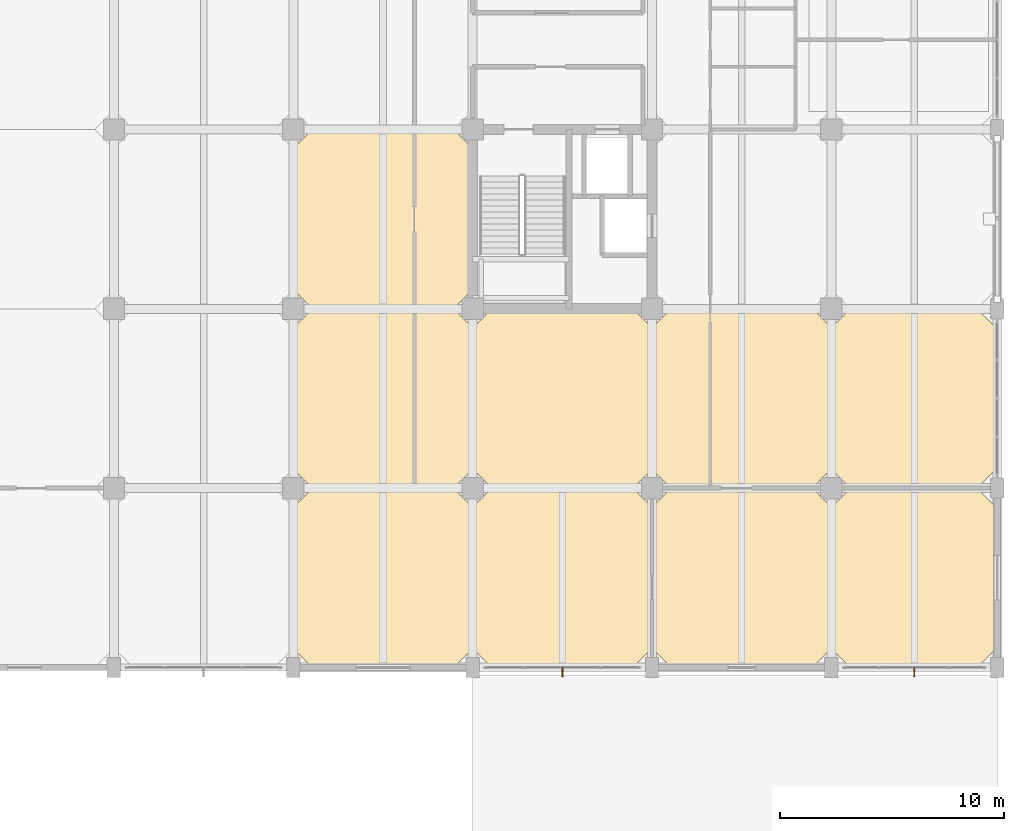
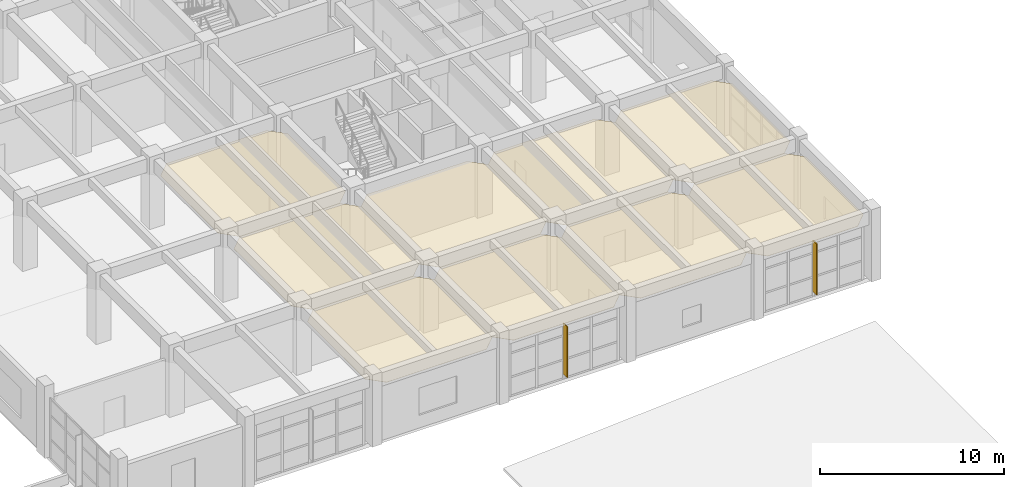
# One storey, part 60 of 63: 9 coverings, 2 shading devices.
"""IFC4 building model written with IfcOpenShell, lengths in metres."""

import ifcopenshell
import ifcopenshell.guid

model = None  # the IFC model being written
_history = None  # IfcOwnerHistory: only IFC2X3 demands one
_inside = {}  # id of a spatial element -> (the spatial element, [elements in it])
_under = {}  # id of a project, library or spatial element -> (it, [spatial elements below it])
_declared = {}  # id of a project -> (the project, [libraries it declares])
_typed = {}  # id of a type object -> (the type object, [elements of that type])
_made_of = {}  # id of a material, layer set ... -> (it, [elements and type objects made of it])


def new_model(schema):
    """Start an empty IFC model of exactly this schema.

    Asked for "IFC4X3", IfcOpenShell would pick the latest addendum, in which some entities
    have other attributes; the version numbers below select the first issue.
    IFC2X3 requires an IfcOwnerHistory on every rooted entity: one is made here for all.
    """
    global model, _history
    if schema == "IFC4X3":
        model = ifcopenshell.file(schema_version=(4, 3, 0, 0))
    else:
        model = ifcopenshell.file(schema=schema)
    _inside.clear()
    _under.clear()
    _declared.clear()
    _typed.clear()
    _made_of.clear()
    _history = None
    if model.schema == "IFC2X3":
        org = make("IfcOrganization", Name="unknown")
        user = make(
            "IfcPersonAndOrganization",
            ThePerson=make("IfcPerson", FamilyName="unknown"),
            TheOrganization=org,
        )
        app = make(
            "IfcApplication",
            ApplicationDeveloper=org,
            Version="unknown",
            ApplicationFullName="unknown",
            ApplicationIdentifier="unknown",
        )
        _history = make(
            "IfcOwnerHistory",
            OwningUser=user,
            OwningApplication=app,
            ChangeAction="ADDED",
            CreationDate=0,
        )
    return model


def make(cls, **values):
    """One entity of the class cls with the attributes given. An attribute that is None is left unset."""
    return model.create_entity(
        cls, **{name: value for name, value in values.items() if value is not None}
    )


def rooted(cls, **values):
    """An entity with a GlobalId (a new one), such as an element, a storey or a relation."""
    return make(cls, GlobalId=ifcopenshell.guid.new(), OwnerHistory=_history, **values)


def si_unit(unit_type, name, prefix=None):
    """IfcSIUnit, for example si_unit("LENGTHUNIT", "METRE", prefix="MILLI")."""
    return make("IfcSIUnit", UnitType=unit_type, Prefix=prefix, Name=name)


def assignment(units):
    """IfcUnitAssignment: the units of a project."""
    return None if units is None else make("IfcUnitAssignment", Units=units)


def point(xyz):
    """IfcCartesianPoint."""
    return None if xyz is None else make("IfcCartesianPoint", Coordinates=xyz)


def direction(xyz):
    """IfcDirection."""
    return None if xyz is None else make("IfcDirection", DirectionRatios=xyz)


def frame(location, z_axis=None, x_axis=None):
    """IfcAxis2Placement3D, a coordinate frame: its origin and axes. An axis left out is left unset."""
    return make(
        "IfcAxis2Placement3D",
        Location=point(location),
        Axis=direction(z_axis),
        RefDirection=direction(x_axis),
    )


def frame_2d(location, x_axis=None):
    """IfcAxis2Placement2D, a coordinate frame in the plane: its origin and x axis."""
    return make(
        "IfcAxis2Placement2D", Location=point(location), RefDirection=direction(x_axis)
    )


def origin():
    """The frame at (0, 0, 0) with its axes left unset."""
    return frame((0.0, 0.0, 0.0))


def origin_2d():
    """The frame at (0, 0) in the plane with its x axis left unset."""
    return frame_2d((0.0, 0.0))


def place(relative_to, where):
    """IfcLocalPlacement: puts the frame where relative to a parent placement (None: the world)."""
    return make(
        "IfcLocalPlacement", PlacementRelTo=relative_to, RelativePlacement=where
    )


def context(
    kind, dimensions, precision=None, world=None, true_north=None, identifier=None
):
    """IfcGeometricRepresentationContext, for example the 3D "Model" context."""
    return make(
        "IfcGeometricRepresentationContext",
        ContextIdentifier=identifier,
        ContextType=kind,
        CoordinateSpaceDimension=dimensions,
        Precision=precision,
        WorldCoordinateSystem=world,
        TrueNorth=true_north,
    )


def subcontext(parent, identifier, kind, view, scale=None):
    """IfcGeometricRepresentationSubContext, for example "Body" below "Model"."""
    return make(
        "IfcGeometricRepresentationSubContext",
        ContextIdentifier=identifier,
        ContextType=kind,
        ParentContext=parent,
        TargetScale=scale,
        TargetView=view,
    )


def project(units=None, contexts=None):
    """IfcProject with its units and contexts."""
    return rooted(
        "IfcProject",
        Name="project",
        RepresentationContexts=contexts,
        UnitsInContext=assignment(units),
    )


def spatial(cls, under=None, at=None, **own):
    """A site, building, storey or space (cls), placed at a placement, below another one or the project."""
    s = rooted(cls, ObjectPlacement=at, **own)
    if under is not None:
        _under.setdefault(under.id(), (under, []))[1].append(s)
    return s


def polyline(points):
    """IfcPolyline through the points."""
    return make("IfcPolyline", Points=[point(p) for p in points])


def profile(cls, at=None, kind="AREA", **sizes):
    """A parametric profile (cls). Its sizes go by their IFC names, for example OverallWidth=200.0."""
    return make(cls, ProfileType=kind, Position=at, **sizes)


def rectangle(**sizes):
    """IfcRectangleProfileDef."""
    return profile("IfcRectangleProfileDef", **sizes)


def outline(outer, holes=None, kind="AREA"):
    """IfcArbitraryClosedProfileDef: a profile drawn as a closed curve; with holes, ...WithVoids."""
    if holes is None:
        return make("IfcArbitraryClosedProfileDef", ProfileType=kind, OuterCurve=outer)
    return make(
        "IfcArbitraryProfileDefWithVoids",
        ProfileType=kind,
        OuterCurve=outer,
        InnerCurves=holes,
    )


def extrude(swept, where, along, depth):
    """IfcExtrudedAreaSolid: the profile swept, set in the frame where, extruded along a direction by depth."""
    return make(
        "IfcExtrudedAreaSolid",
        SweptArea=swept,
        Position=where,
        ExtrudedDirection=direction(along),
        Depth=depth,
    )


def shape(context_of_items, identifier, shape_type, items):
    """IfcShapeRepresentation: the items that make up one representation, for example the "Body"."""
    return make(
        "IfcShapeRepresentation",
        ContextOfItems=context_of_items,
        RepresentationIdentifier=identifier,
        RepresentationType=shape_type,
        Items=items,
    )


def material(Name=None, Category=None):
    """IfcMaterial."""
    return make("IfcMaterial", Name=Name, Category=Category)


def layer(
    of_material, thickness, ventilated=None, Name=None, Category=None, Priority=None
):
    """IfcMaterialLayer: one layer of a wall or slab, of a material (None: an air gap)."""
    return make(
        "IfcMaterialLayer",
        Material=of_material,
        LayerThickness=thickness,
        IsVentilated=ventilated,
        Name=Name,
        Category=Category,
        Priority=Priority,
    )


def layer_set(layers, Name=None):
    """IfcMaterialLayerSet."""
    return make("IfcMaterialLayerSet", MaterialLayers=layers, LayerSetName=Name)


def made_of(thing, what):
    """Note that an element or type object is made of a material, layer set ...; save() writes the relation."""
    if what is not None:
        _made_of.setdefault(what.id(), (what, []))[1].append(thing)
    return thing


def type_object(cls, material=None, **own):
    """A type object (cls), such as IfcWallType, which elements share."""
    return made_of(rooted(cls, **own), material)


def element(
    cls,
    number,
    at=None,
    inside=None,
    cuts=None,
    type_object=None,
    material=None,
    context=None,
    identifier="Body",
    shape_type=None,
    held_by="IfcProductDefinitionShape",
    body=None,
    shapes=None,
    **own,
):
    """One element of the class cls, such as IfcWall. Its Tag is "e" and its number.

    at: its placement. inside: the storey or other place that contains it. cuts: it is an
    opening in that element (IfcRelVoidsElement). A single representation is given by context,
    identifier, shape_type and body (its items); several are given by shapes. held_by: the class
    of the entity that holds the representations. save() writes the other relations.
    """
    e = rooted(cls, Tag="e%d" % number, ObjectPlacement=at, **own)
    if body is not None:
        shapes = [shape(context, identifier, shape_type, body)]
    if shapes is not None:
        e.Representation = make(held_by, Representations=shapes)
    if inside is not None:
        _inside.setdefault(inside.id(), (inside, []))[1].append(e)
    if cuts is not None:
        rooted(
            "IfcRelVoidsElement", RelatingBuildingElement=cuts, RelatedOpeningElement=e
        )
    if type_object is not None:
        _typed.setdefault(type_object.id(), (type_object, []))[1].append(e)
    return made_of(e, material)


def aggregate(whole, parts):
    """IfcRelAggregates: a whole, such as a stair, and the parts it consists of."""
    return rooted("IfcRelAggregates", RelatingObject=whole, RelatedObjects=parts)


def save(model, path):
    """Write the relations noted so far, then the file.

    IfcRelAggregates (storeys below a building ...), IfcRelContainedInSpatialStructure (elements
    in a storey), IfcRelDefinesByType, IfcRelAssociatesMaterial and IfcRelDeclares: one each for
    every whole, place, type object, material and project.
    """
    for whole, parts in _under.values():
        aggregate(whole, parts)
    for where, things in _inside.values():
        rooted(
            "IfcRelContainedInSpatialStructure",
            RelatedElements=things,
            RelatingStructure=where,
        )
    for kind, things in _typed.values():
        rooted("IfcRelDefinesByType", RelatedObjects=things, RelatingType=kind)
    for what, things in _made_of.values():
        rooted("IfcRelAssociatesMaterial", RelatedObjects=things, RelatingMaterial=what)
    for by, libraries in _declared.values():
        rooted("IfcRelDeclares", RelatingContext=by, RelatedDefinitions=libraries)
    model.write(path)


model = new_model("IFC4")

# Units and contexts
model_context = context("Model", 3, precision=1e-05, world=origin(), true_north=direction((0.0, 1.0)))
body_context = subcontext(model_context, "Body", "Model", "MODEL_VIEW")
ifc_project = project(units=[si_unit("LENGTHUNIT", "METRE"), si_unit("AREAUNIT", "SQUARE_METRE"), si_unit("VOLUMEUNIT", "CUBIC_METRE"), si_unit("PLANEANGLEUNIT", "RADIAN"), si_unit("MASSUNIT", "GRAM", prefix="KILO")], contexts=[model_context])

# Site, building, storey
site_placement = place(None, origin())
site = spatial("IfcSite", under=ifc_project, at=site_placement, CompositionType="ELEMENT")
building_placement = place(site_placement, origin())
building = spatial("IfcBuilding", under=site, at=building_placement, Name="Canggui Botanical Conservatory", CompositionType="ELEMENT")
storey_placement = place(building_placement, frame((0.0, 0.0, 10.199951171875)))
storey = spatial("IfcBuildingStorey", under=building, at=storey_placement, Name="L03", CompositionType="ELEMENT", Elevation=10.199951171875)

# Coverings
ifc_material_1 = material(Name="Mineral Fibre Acoustic Board")
ifc_layer_1 = layer(ifc_material_1, 0.014892578125, Name="Mineral Fibre Acoustic Board")
ifc_layer_set_1 = layer_set([ifc_layer_1], Name="Mineral Fibre Acoustic Board")
covering_type_1 = type_object("IfcCoveringType", Name="COV-CEIL-15", PredefinedType="CEILING", material=ifc_layer_set_1)
covering_1_placement = place(storey_placement, frame((0.0, 0.0, 3.635009765625)))
element("IfcCovering", 1, at=covering_1_placement, inside=storey, type_object=covering_type_1, Name="Suspended Acoustic Ceiling L03-146-26", PredefinedType="CEILING", context=body_context, shape_type="SweptSolid", body=[
    extrude(outline(polyline([(146.85009765625, 26.0), (153.14990234375, 26.0), (154.0, 26.85009765625), (154.0, 33.14990234375), (153.14990234375, 34.0), (146.85009765625, 34.0), (146.0, 33.14990234375), (146.0, 26.85009765625), (146.85009765625, 26.0)])), origin(), (0.0, 0.0, 1.0), 0.01513671875),
])
covering_2_placement = place(storey_placement, frame((0.0, 0.0, 3.635009765625)))
element("IfcCovering", 2, at=covering_2_placement, inside=storey, type_object=covering_type_1, Name="Suspended Acoustic Ceiling L03-146-42", PredefinedType="CEILING", context=body_context, shape_type="SweptSolid", body=[
    extrude(outline(polyline([(146.85009765625, 42.0), (153.14990234375, 42.0), (154.0, 42.85009765625), (154.0, 49.14990234375), (153.14990234375, 50.0), (146.85009765625, 50.0), (146.0, 49.14990234375), (146.0, 42.85009765625), (146.85009765625, 42.0)])), origin(), (0.0, 0.0, 1.0), 0.01513671875),
])
covering_3_placement = place(storey_placement, frame((0.0, 0.0, 3.635009765625)))
element("IfcCovering", 3, at=covering_3_placement, inside=storey, type_object=covering_type_1, Name="Suspended Acoustic Ceiling L03-154-34", PredefinedType="CEILING", context=body_context, shape_type="SweptSolid", body=[
    extrude(outline(polyline([(154.85009765625, 34.0), (161.14990234375, 34.0), (162.0, 34.85009765625), (162.0, 41.14990234375), (161.14990234375, 42.0), (154.85009765625, 42.0), (154.0, 41.14990234375), (154.0, 34.85009765625), (154.85009765625, 34.0)])), origin(), (0.0, 0.0, 1.0), 0.01513671875),
])
covering_4_placement = place(storey_placement, frame((0.0, 0.0, 3.635009765625)))
element("IfcCovering", 4, at=covering_4_placement, inside=storey, type_object=covering_type_1, Name="Suspended Acoustic Ceiling L03-162-26", PredefinedType="CEILING", context=body_context, shape_type="SweptSolid", body=[
    extrude(outline(polyline([(162.85009765625, 26.0), (169.14990234375, 26.0), (170.0, 26.85009765625), (170.0, 33.14990234375), (169.14990234375, 34.0), (162.85009765625, 34.0), (162.0, 33.14990234375), (162.0, 26.85009765625), (162.85009765625, 26.0)])), origin(), (0.0, 0.0, 1.0), 0.01513671875),
])
covering_5_placement = place(storey_placement, frame((0.0, 0.0, 3.635009765625)))
element("IfcCovering", 5, at=covering_5_placement, inside=storey, type_object=covering_type_1, Name="Suspended Acoustic Ceiling L03-170-34", PredefinedType="CEILING", context=body_context, shape_type="SweptSolid", body=[
    extrude(outline(polyline([(170.85009765625, 34.0), (176.5, 34.0), (177.35009765625, 34.85009765625), (177.35009765625, 41.14990234375), (176.5, 42.0), (170.85009765625, 42.0), (170.0, 41.14990234375), (170.0, 34.85009765625), (170.85009765625, 34.0)])), origin(), (0.0, 0.0, 1.0), 0.01513671875),
])
ifc_material_2 = material(Name="Perforated Gypsum Acoustic Panel")
ifc_layer_2 = layer(ifc_material_2, 0.02001953125, Name="Perforated Gypsum Acoustic Panel")
ifc_layer_set_2 = layer_set([ifc_layer_2], Name="Perforated Gypsum Acoustic Panel")
covering_type_2 = type_object("IfcCoveringType", Name="COV-CEIL-20", PredefinedType="CEILING", material=ifc_layer_set_2)
covering_6_placement = place(storey_placement, frame((0.0, 0.0, 3.630126953125)))
element("IfcCovering", 6, at=covering_6_placement, inside=storey, type_object=covering_type_2, Name="Suspended Acoustic Ceiling L03-146-34", PredefinedType="CEILING", context=body_context, shape_type="SweptSolid", body=[
    extrude(outline(polyline([(146.85009765625, 34.0), (153.14990234375, 34.0), (154.0, 34.85009765625), (154.0, 41.14990234375), (153.14990234375, 42.0), (146.85009765625, 42.0), (146.0, 41.14990234375), (146.0, 34.85009765625), (146.85009765625, 34.0)])), origin(), (0.0, 0.0, 1.0), 0.02001953125),
])
covering_7_placement = place(storey_placement, frame((0.0, 0.0, 3.630126953125)))
element("IfcCovering", 7, at=covering_7_placement, inside=storey, type_object=covering_type_2, Name="Suspended Acoustic Ceiling L03-154-26", PredefinedType="CEILING", context=body_context, shape_type="SweptSolid", body=[
    extrude(outline(polyline([(154.85009765625, 26.0), (161.14990234375, 26.0), (162.0, 26.85009765625), (162.0, 33.14990234375), (161.14990234375, 34.0), (154.85009765625, 34.0), (154.0, 33.14990234375), (154.0, 26.85009765625), (154.85009765625, 26.0)])), origin(), (0.0, 0.0, 1.0), 0.02001953125),
])
covering_8_placement = place(storey_placement, frame((0.0, 0.0, 3.630126953125)))
element("IfcCovering", 8, at=covering_8_placement, inside=storey, type_object=covering_type_2, Name="Suspended Acoustic Ceiling L03-162-34", PredefinedType="CEILING", context=body_context, shape_type="SweptSolid", body=[
    extrude(outline(polyline([(162.85009765625, 34.0), (169.14990234375, 34.0), (170.0, 34.85009765625), (170.0, 41.14990234375), (169.14990234375, 42.0), (162.85009765625, 42.0), (162.0, 41.14990234375), (162.0, 34.85009765625), (162.85009765625, 34.0)])), origin(), (0.0, 0.0, 1.0), 0.02001953125),
])
covering_9_placement = place(storey_placement, frame((0.0, 0.0, 3.630126953125)))
element("IfcCovering", 9, at=covering_9_placement, inside=storey, type_object=covering_type_2, Name="Suspended Acoustic Ceiling L03-170-26", PredefinedType="CEILING", context=body_context, shape_type="SweptSolid", body=[
    extrude(outline(polyline([(170.85009765625, 26.0), (176.5, 26.0), (177.35009765625, 26.85009765625), (177.35009765625, 33.14990234375), (176.5, 34.0), (170.85009765625, 34.0), (170.0, 33.14990234375), (170.0, 26.85009765625), (170.85009765625, 26.0)])), origin(), (0.0, 0.0, 1.0), 0.02001953125),
])

# Shading devices
ifc_material_3 = material(Name="Anodised Aluminium", Category="aluminium")
shading_device_type = type_object("IfcShadingDeviceType", Name="SHD-FIN01", PredefinedType="AWNING", material=ifc_material_3)
for number, where, z_axis, x_axis, name in (
    (10, (173.699951171875, 25.804931640625, 0.300048828125), (0.0, 0.0, 1.0), (-1.0, 0.0, 0.0), "Solar Shading Fin CW-TWR-L03-01"),
    (11, (158.0, 25.804931640625, 0.300048828125), (0.0, 0.0, 1.0), (-1.0, 0.0, 0.0), "Solar Shading Fin CW-TWR-L03-03"),
):
    element("IfcShadingDevice", number, at=place(storey_placement, frame(where, z_axis=z_axis, x_axis=x_axis)), inside=storey, type_object=shading_device_type, Name=name, PredefinedType="AWNING", context=body_context, shape_type="SweptSolid", body=[
        extrude(rectangle(XDim=0.06005859375, YDim=0.419921875, at=origin_2d()), origin(), (0.0, 0.0, 1.0), 3.39990234375),
    ])

save(model, "model.ifc")
